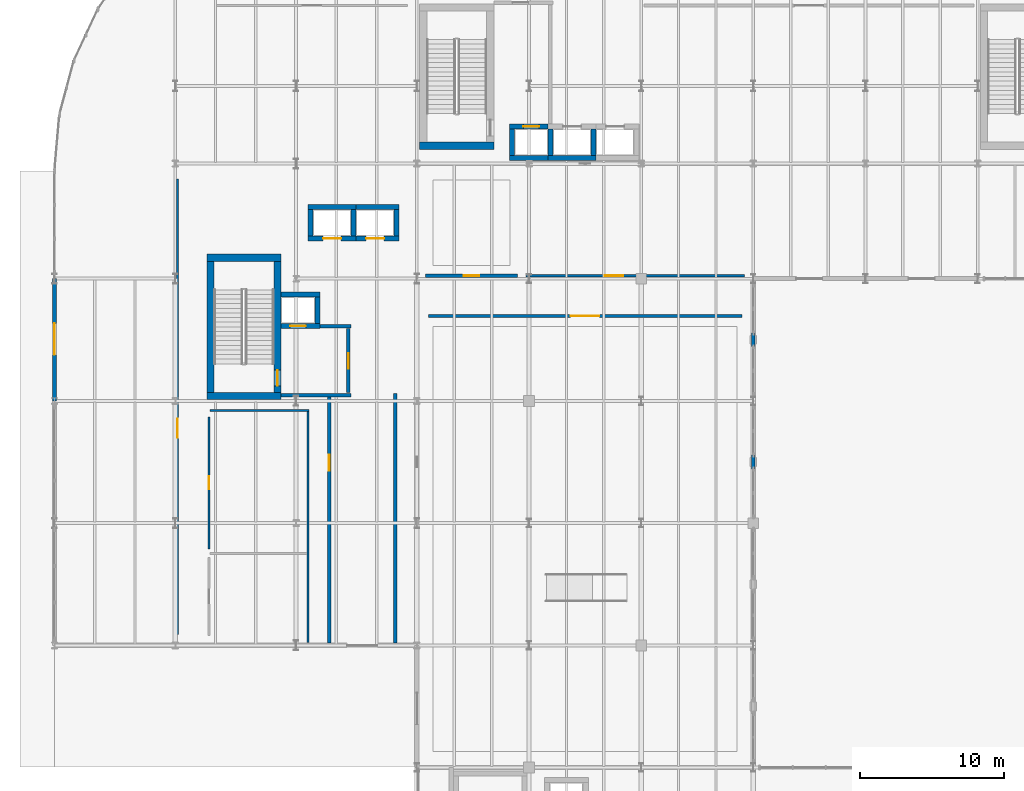
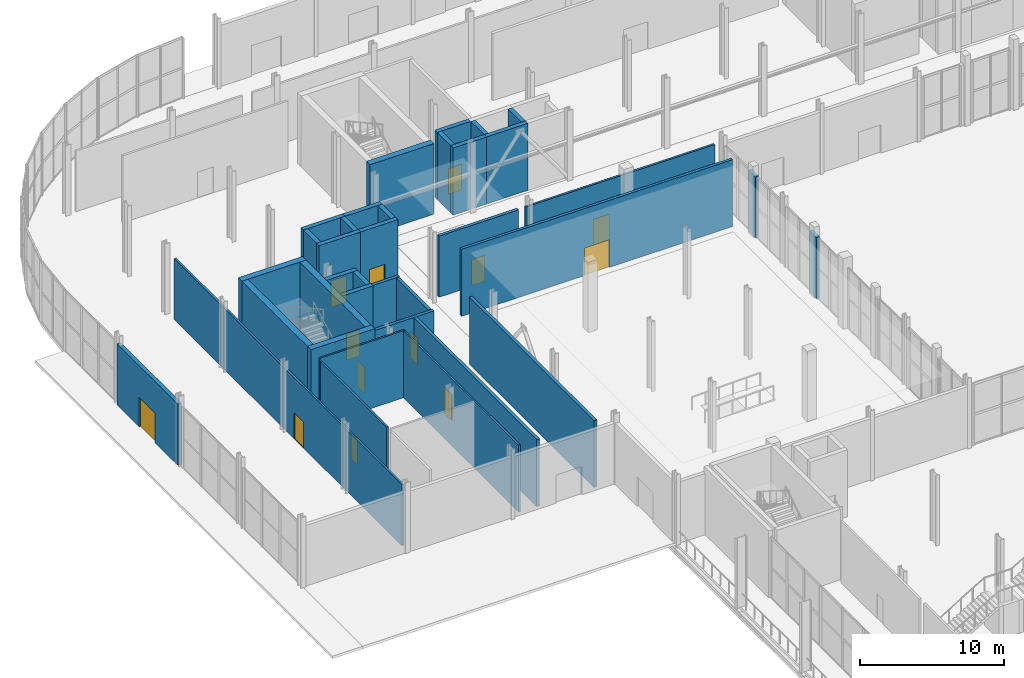
# One storey, part 58 of 84: 36 walls, 13 doors, 13 openings.
"""IFC4 building model written with IfcOpenShell, lengths in metres."""

from ifc_helpers import new_model, si_unit, direction, frame, frame_2d, origin, place, context, subcontext, project, spatial, rectangle, extrude, material, layer, layer_set, type_object, element, fill, save


model = new_model("IFC4")

# Units and contexts
model_context = context("Model", 3, precision=1e-05, world=origin(), true_north=direction((0.0, 1.0)))
body_context = subcontext(model_context, "Body", "Model", "MODEL_VIEW")
ifc_project = project(units=[si_unit("LENGTHUNIT", "METRE"), si_unit("AREAUNIT", "SQUARE_METRE"), si_unit("VOLUMEUNIT", "CUBIC_METRE"), si_unit("PLANEANGLEUNIT", "RADIAN"), si_unit("MASSUNIT", "GRAM", prefix="KILO")], contexts=[model_context])

# Site, building, storey
site_placement = place(None, origin())
site = spatial("IfcSite", under=ifc_project, at=site_placement, CompositionType="ELEMENT")
building_placement = place(site_placement, origin())
building = spatial("IfcBuilding", under=site, at=building_placement, Name="Sefraquen Railside Congress Hotel", CompositionType="ELEMENT")
storey_placement = place(building_placement, origin())
storey = spatial("IfcBuildingStorey", under=building, at=storey_placement, Name="L00", CompositionType="ELEMENT", Elevation=0.0)

# Wall, opening, door
ifc_material_1 = material(Name="Acoustic double stud and gypsum board", Category="gypsum")
ifc_layer_1 = layer(ifc_material_1, 0.219970703125)
ifc_layer_set_1 = layer_set([ifc_layer_1], Name="Acoustic double stud and gypsum board")
wall_type_1 = type_object("IfcWallType", Name="TW-AW-220", PredefinedType="PARTITIONING", material=ifc_layer_set_1)
wall_1_placement = place(storey_placement, frame((26.0, 85.39990234375, 0.0), z_axis=(0.0, 0.0, 1.0), x_axis=(1.0, 0.0, 0.0)))
wall_1 = element("IfcWall", 1, at=wall_1_placement, inside=storey, type_object=wall_type_1, Name="Exhibition Gallery Hall enclosure wall", PredefinedType="PARTITIONING", context=body_context, shape_type="SweptSolid", body=[
    extrude(rectangle(XDim=21.800048828125, YDim=0.219970703125, at=frame_2d((10.89990234375, 0.0))), origin(), (0.0, 0.0, 1.0), 5.699951171875),
])
opening_1_placement = place(wall_1_placement, frame((9.89990234375, 0.0, 0.0)))
opening_1 = element("IfcOpeningElement", 2, at=opening_1_placement, cuts=wall_1, Name="Opening AD-02", PredefinedType="OPENING", context=body_context, shape_type="SweptSolid", body=[
    extrude(rectangle(XDim=2.0, YDim=2.35009765625, at=frame_2d((1.0, 1.175048828125))), frame((0.0, 0.119873046875, 0.0), z_axis=(0.0, -1.0, 0.0), x_axis=(1.0, 0.0, 0.0)), (0.0, 0.0, 1.0), 0.239990234375),
])
ifc_material_2 = material(Name="Acoustic Atlas cedar timber", Category="wood")
door_type_1 = type_object("IfcDoorType", Name="TD-AD-02", OperationType="NOTDEFINED", PredefinedType="DOOR", material=ifc_material_2)
door_1_placement = place(opening_1_placement, origin())
door_1 = element("IfcDoor", 3, at=door_1_placement, inside=storey, type_object=door_type_1, Name="Exhibition Gallery Hall entrance door", OperationType="DOUBLE_SWING_LEFT", OverallHeight=2.35009765625, OverallWidth=2.0, PredefinedType="DOOR", context=body_context, shape_type="SweptSolid", body=[
    extrude(rectangle(XDim=2.0, YDim=2.35009765625, at=frame_2d((1.0, 1.175048828125))), frame((0.0, 0.02490234375, 0.0), z_axis=(0.0, -1.0, 0.0), x_axis=(1.0, 0.0, 0.0)), (0.0, 0.0, 1.0), 0.050048828125),
])
fill(opening_1, door_1)

# Wall
ifc_material_3 = material(Name="Concrete C50/60", Category="concrete")
ifc_layer_2 = layer(ifc_material_3, 0.35009765625)
ifc_layer_set_2 = layer_set([ifc_layer_2], Name="Concrete C50/60")
wall_type_2 = type_object("IfcWallType", Name="TW-CW-350", PredefinedType="SHEAR", material=ifc_layer_set_2)
wall_2_placement = place(storey_placement, frame((15.760009765625, 86.89501953125, 0.0), z_axis=(0.0, 0.0, 1.0), x_axis=(1.0, 0.0, 0.0)))
element("IfcWall", 4, at=wall_2_placement, inside=storey, type_object=wall_type_2, Name="Lift FL-01 shaft wall N L00", PredefinedType="SHEAR", context=body_context, shape_type="SweptSolid", body=[
    extrude(rectangle(XDim=2.68994140625, YDim=0.35009765625, at=frame_2d((1.344970703125, 0.0))), origin(), (0.0, 0.0, 1.0), 5.699951171875),
])

# Wall, opening, door
wall_3_placement = place(storey_placement, frame((15.760009765625, 84.705078125, 0.0), z_axis=(0.0, 0.0, 1.0), x_axis=(1.0, 0.0, 0.0)))
wall_3 = element("IfcWall", 5, at=wall_3_placement, inside=storey, type_object=wall_type_2, Name="Lift FL-01 shaft wall S L00", PredefinedType="SHEAR", context=body_context, shape_type="SweptSolid", body=[
    extrude(rectangle(XDim=2.68994140625, YDim=0.35009765625, at=frame_2d((1.344970703125, 0.0))), origin(), (0.0, 0.0, 1.0), 5.699951171875),
])
opening_2_placement = place(wall_3_placement, frame((0.6201171875, 0.0, 0.0)))
opening_2 = element("IfcOpeningElement", 6, at=opening_2_placement, cuts=wall_3, Name="Opening LD-01", PredefinedType="OPENING", context=body_context, shape_type="SweptSolid", body=[
    extrude(rectangle(XDim=1.10009765625, YDim=2.199951171875, at=frame_2d((0.550048828125, 1.10009765625))), frame((0.0, 0.18505859375, 0.0), z_axis=(0.0, -1.0, 0.0), x_axis=(1.0, 0.0, 0.0)), (0.0, 0.0, 1.0), 0.3701171875),
])
ifc_material_4 = material(Name="Brushed bronze stainless steel", Category="steel")
door_type_2 = type_object("IfcDoorType", Name="TD-LD-01", OperationType="NOTDEFINED", PredefinedType="DOOR", material=ifc_material_4)
door_2_placement = place(opening_2_placement, origin())
door_2 = element("IfcDoor", 7, at=door_2_placement, inside=storey, type_object=door_type_2, Name="Lift landing door FL-01 L00", OperationType="SLIDING_TO_LEFT", OverallHeight=2.199951171875, OverallWidth=1.10009765625, PredefinedType="DOOR", context=body_context, shape_type="SweptSolid", body=[
    extrude(rectangle(XDim=1.10009765625, YDim=2.199951171875, at=frame_2d((0.550048828125, 1.10009765625))), frame((0.0, 0.02490234375, 0.0), z_axis=(0.0, -1.0, 0.0), x_axis=(1.0, 0.0, 0.0)), (0.0, 0.0, 1.0), 0.050048828125),
])
fill(opening_2, door_2)

# Wall
wall_4_placement = place(storey_placement, frame((18.27490234375, 84.8798828125, 0.0), z_axis=(0.0, 0.0, 1.0), x_axis=(0.0, 1.0, 0.0)))
element("IfcWall", 8, at=wall_4_placement, inside=storey, type_object=wall_type_2, Name="Lift FL-01 shaft wall E L00", PredefinedType="SHEAR", context=body_context, shape_type="SweptSolid", body=[
    extrude(rectangle(XDim=1.840087890625, YDim=0.35009765625, at=frame_2d((0.919921875, 0.0))), origin(), (0.0, 0.0, 1.0), 5.699951171875),
])

# Wall, opening, door
wall_5_placement = place(storey_placement, frame((31.639892578125, 98.594970703125, 0.0), z_axis=(0.0, 0.0, 1.0), x_axis=(1.0, 0.0, 0.0)))
wall_5 = element("IfcWall", 9, at=wall_5_placement, inside=storey, type_object=wall_type_2, Name="Lift FL-02 shaft wall N L00", PredefinedType="SHEAR", context=body_context, shape_type="SweptSolid", body=[
    extrude(rectangle(XDim=2.690185546875, YDim=0.35009765625, at=frame_2d((1.34521484375, 0.0))), origin(), (0.0, 0.0, 1.0), 5.699951171875),
])
opening_3_placement = place(wall_5_placement, frame((0.969970703125, 0.0, 0.0)))
opening_3 = element("IfcOpeningElement", 10, at=opening_3_placement, cuts=wall_5, Name="Opening LD-01", PredefinedType="OPENING", context=body_context, shape_type="SweptSolid", body=[
    extrude(rectangle(XDim=1.10009765625, YDim=2.199951171875, at=frame_2d((0.550048828125, 1.10009765625))), frame((0.0, 0.18505859375, 0.0), z_axis=(0.0, -1.0, 0.0), x_axis=(1.0, 0.0, 0.0)), (0.0, 0.0, 1.0), 0.3701171875),
])
door_3_placement = place(opening_3_placement, origin())
door_3 = element("IfcDoor", 11, at=door_3_placement, inside=storey, type_object=door_type_2, Name="Lift landing door FL-02 L00", OperationType="SLIDING_TO_LEFT", OverallHeight=2.199951171875, OverallWidth=1.10009765625, PredefinedType="DOOR", context=body_context, shape_type="SweptSolid", body=[
    extrude(rectangle(XDim=1.10009765625, YDim=2.199951171875, at=frame_2d((0.550048828125, 1.10009765625))), frame((0.0, 0.02490234375, 0.0), z_axis=(0.0, -1.0, 0.0), x_axis=(1.0, 0.0, 0.0)), (0.0, 0.0, 1.0), 0.050048828125),
])
fill(opening_3, door_3)

# Walls
wall_6_placement = place(storey_placement, frame((31.639892578125, 96.405029296875, 0.0), z_axis=(0.0, 0.0, 1.0), x_axis=(1.0, 0.0, 0.0)))
element("IfcWall", 12, at=wall_6_placement, inside=storey, type_object=wall_type_2, Name="Lift FL-02 shaft wall S L00", PredefinedType="SHEAR", context=body_context, shape_type="SweptSolid", body=[
    extrude(rectangle(XDim=2.690185546875, YDim=0.35009765625, at=frame_2d((1.34521484375, 0.0))), origin(), (0.0, 0.0, 1.0), 5.699951171875),
])
wall_7_placement = place(storey_placement, frame((31.81494140625, 96.580078125, 0.0), z_axis=(0.0, 0.0, 1.0), x_axis=(0.0, 1.0, 0.0)))
element("IfcWall", 13, at=wall_7_placement, inside=storey, type_object=wall_type_2, Name="Lift FL-02 shaft wall W L00", PredefinedType="SHEAR", context=body_context, shape_type="SweptSolid", body=[
    extrude(rectangle(XDim=1.83984375, YDim=0.35009765625, at=frame_2d((0.919921875, 0.0))), origin(), (0.0, 0.0, 1.0), 5.699951171875),
])
wall_8_placement = place(storey_placement, frame((17.6298828125, 92.9951171875, 0.0), z_axis=(0.0, 0.0, 1.0), x_axis=(1.0, 0.0, 0.0)))
element("IfcWall", 14, at=wall_8_placement, inside=storey, type_object=wall_type_2, Name="Lift PL-01 shaft wall N L00", PredefinedType="SHEAR", context=body_context, shape_type="SweptSolid", body=[
    extrude(rectangle(XDim=3.340087890625, YDim=0.35009765625, at=frame_2d((1.669921875, 0.0))), origin(), (0.0, 0.0, 1.0), 5.699951171875),
])

# Wall, opening, door
wall_9_placement = place(storey_placement, frame((17.6298828125, 90.804931640625, 0.0), z_axis=(0.0, 0.0, 1.0), x_axis=(1.0, 0.0, 0.0)))
wall_9 = element("IfcWall", 15, at=wall_9_placement, inside=storey, type_object=wall_type_2, Name="Lift PL-01 shaft wall S L00", PredefinedType="SHEAR", context=body_context, shape_type="SweptSolid", body=[
    extrude(rectangle(XDim=3.340087890625, YDim=0.35009765625, at=frame_2d((1.669921875, 0.0))), origin(), (0.0, 0.0, 1.0), 5.699951171875),
])
opening_4_placement = place(wall_9_placement, frame((1.044921875, 0.0, 0.0)))
opening_4 = element("IfcOpeningElement", 16, at=opening_4_placement, cuts=wall_9, Name="Opening LD-02", PredefinedType="OPENING", context=body_context, shape_type="SweptSolid", body=[
    extrude(rectangle(XDim=1.25, YDim=2.25, at=frame_2d((0.625, 1.125))), frame((0.0, 0.18505859375, 0.0), z_axis=(0.0, -1.0, 0.0), x_axis=(1.0, 0.0, 0.0)), (0.0, 0.0, 1.0), 0.3701171875),
])
ifc_material_5 = material(Name="Brushed stainless steel", Category="steel")
door_type_3 = type_object("IfcDoorType", Name="TD-LD-02", OperationType="NOTDEFINED", PredefinedType="DOOR", material=ifc_material_5)
door_4_placement = place(opening_4_placement, origin())
door_4 = element("IfcDoor", 17, at=door_4_placement, inside=storey, type_object=door_type_3, Name="Lift landing door PL-01 L00", OperationType="SLIDING_TO_LEFT", OverallHeight=2.25, OverallWidth=1.25, PredefinedType="DOOR", context=body_context, shape_type="SweptSolid", body=[
    extrude(rectangle(XDim=1.25, YDim=2.25, at=frame_2d((0.625, 1.125))), frame((0.0, 0.02490234375, 0.0), z_axis=(0.0, -1.0, 0.0), x_axis=(1.0, 0.0, 0.0)), (0.0, 0.0, 1.0), 0.050048828125),
])
fill(opening_4, door_4)

# Walls
for number, where, z_axis, x_axis, name in (
    (18, (17.804931640625, 90.97998046875, 0.0), (0.0, 0.0, 1.0), (0.0, 1.0, 0.0), "Lift PL-01 shaft wall W L00"),
    (19, (20.794921875, 90.97998046875, 0.0), (0.0, 0.0, 1.0), (0.0, 1.0, 0.0), "Lift PL-01 shaft wall E L00"),
):
    element("IfcWall", number, at=place(storey_placement, frame(where, z_axis=z_axis, x_axis=x_axis)), inside=storey, type_object=wall_type_2, Name=name, PredefinedType="SHEAR", context=body_context, shape_type="SweptSolid", body=[
        extrude(rectangle(XDim=1.840087890625, YDim=0.35009765625, at=frame_2d((0.919921875, 0.0))), origin(), (0.0, 0.0, 1.0), 5.699951171875),
    ])
wall_10_placement = place(storey_placement, frame((20.969970703125, 92.9951171875, 0.0), z_axis=(0.0, 0.0, 1.0), x_axis=(1.0, 0.0, 0.0)))
element("IfcWall", 20, at=wall_10_placement, inside=storey, type_object=wall_type_2, Name="Lift PL-02 shaft wall N L00", PredefinedType="SHEAR", context=body_context, shape_type="SweptSolid", body=[
    extrude(rectangle(XDim=2.989990234375, YDim=0.35009765625, at=frame_2d((1.4951171875, 0.0))), origin(), (0.0, 0.0, 1.0), 5.699951171875),
])

# Wall, opening, door
wall_11_placement = place(storey_placement, frame((20.969970703125, 90.804931640625, 0.0), z_axis=(0.0, 0.0, 1.0), x_axis=(1.0, 0.0, 0.0)))
wall_11 = element("IfcWall", 21, at=wall_11_placement, inside=storey, type_object=wall_type_2, Name="Lift PL-02 shaft wall S L00", PredefinedType="SHEAR", context=body_context, shape_type="SweptSolid", body=[
    extrude(rectangle(XDim=2.989990234375, YDim=0.35009765625, at=frame_2d((1.4951171875, 0.0))), origin(), (0.0, 0.0, 1.0), 5.699951171875),
])
opening_5_placement = place(wall_11_placement, frame((0.695068359375, 0.0, 0.0)))
opening_5 = element("IfcOpeningElement", 22, at=opening_5_placement, cuts=wall_11, Name="Opening LD-02", PredefinedType="OPENING", context=body_context, shape_type="SweptSolid", body=[
    extrude(rectangle(XDim=1.25, YDim=2.25, at=frame_2d((0.625, 1.125))), frame((0.0, 0.18505859375, 0.0), z_axis=(0.0, -1.0, 0.0), x_axis=(1.0, 0.0, 0.0)), (0.0, 0.0, 1.0), 0.3701171875),
])
door_5_placement = place(opening_5_placement, origin())
door_5 = element("IfcDoor", 23, at=door_5_placement, inside=storey, type_object=door_type_3, Name="Lift landing door PL-02 L00", OperationType="SLIDING_TO_LEFT", OverallHeight=2.25, OverallWidth=1.25, PredefinedType="DOOR", context=body_context, shape_type="SweptSolid", body=[
    extrude(rectangle(XDim=1.25, YDim=2.25, at=frame_2d((0.625, 1.125))), frame((0.0, 0.02490234375, 0.0), z_axis=(0.0, -1.0, 0.0), x_axis=(1.0, 0.0, 0.0)), (0.0, 0.0, 1.0), 0.050048828125),
])
fill(opening_5, door_5)

# Walls
wall_12_placement = place(storey_placement, frame((23.784912109375, 90.97998046875, 0.0), z_axis=(0.0, 0.0, 1.0), x_axis=(0.0, 1.0, 0.0)))
element("IfcWall", 24, at=wall_12_placement, inside=storey, type_object=wall_type_2, Name="Lift PL-02 shaft wall E L00", PredefinedType="SHEAR", context=body_context, shape_type="SweptSolid", body=[
    extrude(rectangle(XDim=1.840087890625, YDim=0.35009765625, at=frame_2d((0.919921875, 0.0))), origin(), (0.0, 0.0, 1.0), 5.699951171875),
])
wall_13_placement = place(storey_placement, frame((34.330078125, 96.405029296875, 0.0), z_axis=(0.0, 0.0, 1.0), x_axis=(1.0, 0.0, 0.0)))
element("IfcWall", 25, at=wall_13_placement, inside=storey, type_object=wall_type_2, Name="Lift PL-03 shaft wall S L00", PredefinedType="SHEAR", context=body_context, shape_type="SweptSolid", body=[
    extrude(rectangle(XDim=3.33984375, YDim=0.35009765625, at=frame_2d((1.669921875, 0.0))), origin(), (0.0, 0.0, 1.0), 5.699951171875),
])
for number, where, z_axis, x_axis, name in (
    (26, (34.5048828125, 96.580078125, 0.0), (0.0, 0.0, 1.0), (0.0, 1.0, 0.0), "Lift PL-03 shaft wall W L00"),
    (27, (37.4951171875, 96.580078125, 0.0), (0.0, 0.0, 1.0), (0.0, 1.0, 0.0), "Lift PL-03 shaft wall E L00"),
):
    element("IfcWall", number, at=place(storey_placement, frame(where, z_axis=z_axis, x_axis=x_axis)), inside=storey, type_object=wall_type_2, Name=name, PredefinedType="SHEAR", context=body_context, shape_type="SweptSolid", body=[
        extrude(rectangle(XDim=1.83984375, YDim=0.35009765625, at=frame_2d((0.919921875, 0.0))), origin(), (0.0, 0.0, 1.0), 5.699951171875),
    ])
ifc_layer_3 = layer(ifc_material_3, 0.5)
ifc_layer_set_3 = layer_set([ifc_layer_3], Name="Concrete C50/60")
wall_type_3 = type_object("IfcWallType", Name="TW-CW-500", PredefinedType="SHEAR", material=ifc_layer_set_3)
for number, where, z_axis, x_axis, name in (
    (28, (10.60009765625, 89.4619140625, 0.0), (0.0, 0.0, 1.0), (1.0, 0.0, 0.0), "Core shear wall ST-H01 N L00"),
    (29, (10.60009765625, 79.85009765625, 0.0), (0.0, 0.0, 1.0), (1.0, 0.0, 0.0), "Core shear wall ST-H01 S L00"),
):
    element("IfcWall", number, at=place(storey_placement, frame(where, z_axis=z_axis, x_axis=x_axis)), inside=storey, type_object=wall_type_3, Name=name, PredefinedType="SHEAR", context=body_context, shape_type="SweptSolid", body=[
        extrude(rectangle(XDim=5.159912109375, YDim=0.5, at=frame_2d((2.580078125, 0.0))), origin(), (0.0, 0.0, 1.0), 6.0),
    ])
wall_14_placement = place(storey_placement, frame((10.85009765625, 80.10009765625, 0.0), z_axis=(0.0, 0.0, 1.0), x_axis=(0.0, 1.0, 0.0)))
element("IfcWall", 30, at=wall_14_placement, inside=storey, type_object=wall_type_3, Name="Core shear wall ST-H01 W L00", PredefinedType="SHEAR", context=body_context, shape_type="SweptSolid", body=[
    extrude(rectangle(XDim=9.11181640625, YDim=0.5, at=frame_2d((4.555908203125, 0.0))), origin(), (0.0, 0.0, 1.0), 6.0),
])

# Wall, opening, door
wall_15_placement = place(storey_placement, frame((15.510009765625, 80.10009765625, 0.0), z_axis=(0.0, 0.0, 1.0), x_axis=(0.0, 1.0, 0.0)))
wall_15 = element("IfcWall", 31, at=wall_15_placement, inside=storey, type_object=wall_type_3, Name="Core shear wall ST-H01 E L00", PredefinedType="SHEAR", context=body_context, shape_type="SweptSolid", body=[
    extrude(rectangle(XDim=9.11181640625, YDim=0.5, at=frame_2d((4.555908203125, 0.0))), origin(), (0.0, 0.0, 1.0), 6.0),
])
opening_6_placement = place(wall_15_placement, frame((0.43994140625, 0.0, 0.0)))
opening_6 = element("IfcOpeningElement", 32, at=opening_6_placement, cuts=wall_15, Name="Opening FD-04", PredefinedType="OPENING", context=body_context, shape_type="SweptSolid", body=[
    extrude(rectangle(XDim=1.10009765625, YDim=2.199951171875, at=frame_2d((0.550048828125, 1.10009765625))), frame((0.0, 0.260009765625, 0.0), z_axis=(0.0, -1.0, 0.0), x_axis=(1.0, 0.0, 0.0)), (0.0, 0.0, 1.0), 0.52001953125),
])
ifc_material_6 = material(Name="Fire-rated steel", Category="steel")
door_type_4 = type_object("IfcDoorType", Name="TD-FD-04", OperationType="NOTDEFINED", PredefinedType="DOOR", material=ifc_material_6)
door_6_placement = place(opening_6_placement, origin())
door_6 = element("IfcDoor", 33, at=door_6_placement, inside=storey, type_object=door_type_4, Name="Pressurized stair ST-H01 fire door L00", OperationType="SINGLE_SWING_RIGHT", OverallHeight=2.199951171875, OverallWidth=1.10009765625, PredefinedType="DOOR", context=body_context, shape_type="SweptSolid", body=[
    extrude(rectangle(XDim=1.10009765625, YDim=2.199951171875, at=frame_2d((0.550048828125, 1.10009765625))), frame((0.0, 0.02490234375, 0.0), z_axis=(0.0, -1.0, 0.0), x_axis=(1.0, 0.0, 0.0)), (0.0, 0.0, 1.0), 0.050048828125),
])
fill(opening_6, door_6)

# Walls
wall_16_placement = place(storey_placement, frame((25.39990234375, 97.25, 0.0), z_axis=(0.0, 0.0, 1.0), x_axis=(1.0, 0.0, 0.0)))
element("IfcWall", 34, at=wall_16_placement, inside=storey, type_object=wall_type_3, Name="Core shear wall ST-H02 S L00", PredefinedType="SHEAR", context=body_context, shape_type="SweptSolid", body=[
    extrude(rectangle(XDim=5.16015625, YDim=0.5, at=frame_2d((2.580078125, 0.0))), origin(), (0.0, 0.0, 1.0), 6.0),
])
ifc_material_7 = material(Name="Ochre Rabat calcarenite limestone and Concrete C40/50 backing", Category="masonry")
ifc_layer_4 = layer(ifc_material_7, 0.280029296875)
ifc_layer_set_4 = layer_set([ifc_layer_4], Name="Ochre Rabat calcarenite limestone and Concrete C40/50 backing")
wall_type_4 = type_object("IfcWallType", Name="TW-EW-280", PredefinedType="STANDARD", material=ifc_layer_set_4)
for number, where, z_axis, x_axis, name in (
    (35, (48.60009765625, 74.77001953125, 0.0), (0.0, 0.0, 1.0), (0.0, 1.0, 0.0), "Courtyard west arcade curtain wall UCW-19 column pier closure 1"),
    (36, (48.60009765625, 83.27001953125, 0.0), (0.0, 0.0, 1.0), (0.0, 1.0, 0.0), "Courtyard west arcade curtain wall UCW-21 column pier closure 1"),
):
    element("IfcWall", number, at=place(storey_placement, frame(where, z_axis=z_axis, x_axis=x_axis)), inside=storey, type_object=wall_type_4, Name=name, PredefinedType="STANDARD", context=body_context, shape_type="SweptSolid", body=[
        extrude(rectangle(XDim=0.9599609375, YDim=0.260009765625, at=frame_2d((0.47998046875, 0.0))), origin(), (0.0, 0.0, 1.0), 5.199951171875),
    ])

# Wall, opening, door
ifc_layer_5 = layer(ifc_material_7, 0.300048828125)
ifc_layer_set_5 = layer_set([ifc_layer_5], Name="Ochre Rabat calcarenite limestone and Concrete C40/50 backing")
wall_type_5 = type_object("IfcWallType", Name="TW-EW-300", PredefinedType="STANDARD", material=ifc_layer_set_5)
wall_17_placement = place(storey_placement, frame((0.0, 79.5, 0.0), z_axis=(0.0, 0.0, 1.0), x_axis=(0.0, 1.0, 0.0)))
wall_17 = element("IfcWall", 37, at=wall_17_placement, inside=storey, type_object=wall_type_5, Name="Hotel L00 West Forecourt facade wall", PredefinedType="STANDARD", context=body_context, shape_type="SweptSolid", body=[
    extrude(rectangle(XDim=8.5, YDim=0.300048828125, at=frame_2d((4.25, 0.0))), origin(), (0.0, 0.0, 1.0), 5.199951171875),
])
opening_7_placement = place(wall_17_placement, frame((3.199951171875, 0.0, 0.0)))
opening_7 = element("IfcOpeningElement", 38, at=opening_7_placement, cuts=wall_17, Name="Opening ED-03", PredefinedType="OPENING", context=body_context, shape_type="SweptSolid", body=[
    extrude(rectangle(XDim=2.199951171875, YDim=2.5, at=frame_2d((1.10009765625, 1.25))), frame((0.0, 0.159912109375, 0.0), z_axis=(0.0, -1.0, 0.0), x_axis=(1.0, 0.0, 0.0)), (0.0, 0.0, 1.0), 0.320068359375),
])
ifc_material_8 = material(Name="Bronze and fire-rated laminated glass", Category="glass")
door_type_5 = type_object("IfcDoorType", Name="TD-ED-03", OperationType="NOTDEFINED", PredefinedType="DOOR", material=ifc_material_8)
door_7_placement = place(opening_7_placement, origin())
door_7 = element("IfcDoor", 39, at=door_7_placement, inside=storey, type_object=door_type_5, Name="Hotel West Forecourt exit door", OperationType="DOUBLE_SWING_LEFT", OverallHeight=2.5, OverallWidth=2.199951171875, PredefinedType="DOOR", context=body_context, shape_type="SweptSolid", body=[
    extrude(rectangle(XDim=2.199951171875, YDim=2.5, at=frame_2d((1.10009765625, 1.25))), frame((0.0, 0.02490234375, 0.0), z_axis=(0.0, -1.0, 0.0), x_axis=(1.0, 0.0, 0.0)), (0.0, 0.0, 1.0), 0.050048828125),
])
fill(opening_7, door_7)

# Walls
ifc_material_9 = material(Name="Concrete C40/50", Category="concrete")
ifc_layer_6 = layer(ifc_material_9, 0.239990234375)
ifc_layer_set_6 = layer_set([ifc_layer_6], Name="Concrete C40/50")
wall_type_6 = type_object("IfcWallType", Name="TW-FW-240", PredefinedType="STANDARD", material=ifc_layer_set_6)
wall_18_placement = place(storey_placement, frame((15.760009765625, 79.89990234375, 0.0), z_axis=(0.0, 0.0, 1.0), x_axis=(1.0, 0.0, 0.0)))
element("IfcWall", 40, at=wall_18_placement, inside=storey, type_object=wall_type_6, Name="Firefighting Lift Lobby FFL-01 S fire wall L00", PredefinedType="STANDARD", context=body_context, shape_type="SweptSolid", body=[
    extrude(rectangle(XDim=4.860107421875, YDim=0.239990234375, at=frame_2d((2.43017578125, 0.0))), origin(), (0.0, 0.0, 1.0), 5.699951171875),
])
wall_19_placement = place(storey_placement, frame((18.449951171875, 84.705078125, 0.0), z_axis=(0.0, 0.0, 1.0), x_axis=(1.0, 0.0, 0.0)))
element("IfcWall", 41, at=wall_19_placement, inside=storey, type_object=wall_type_6, Name="Firefighting Lift Lobby FFL-01 N fire wall L00", PredefinedType="STANDARD", context=body_context, shape_type="SweptSolid", body=[
    extrude(rectangle(XDim=2.170166015625, YDim=0.239990234375, at=frame_2d((1.0849609375, 0.0))), origin(), (0.0, 0.0, 1.0), 5.699951171875),
])

# Wall, opening, door
wall_20_placement = place(storey_placement, frame((20.43994140625, 80.080078125, 0.0), z_axis=(0.0, 0.0, 1.0), x_axis=(0.0, 1.0, 0.0)))
wall_20 = element("IfcWall", 42, at=wall_20_placement, inside=storey, type_object=wall_type_6, Name="Firefighting Lift Lobby FFL-01 EI 120 separation wall L00", PredefinedType="STANDARD", context=body_context, shape_type="SweptSolid", body=[
    extrude(rectangle(XDim=4.449951171875, YDim=0.239990234375, at=frame_2d((2.22509765625, 0.0))), origin(), (0.0, 0.0, 1.0), 5.699951171875),
])
opening_8_placement = place(wall_20_placement, frame((1.64990234375, 0.0, 0.0)))
opening_8 = element("IfcOpeningElement", 43, at=opening_8_placement, cuts=wall_20, Name="Opening FD-04", PredefinedType="OPENING", context=body_context, shape_type="SweptSolid", body=[
    extrude(rectangle(XDim=1.10009765625, YDim=2.199951171875, at=frame_2d((0.550048828125, 1.10009765625))), frame((0.0, 0.1298828125, 0.0), z_axis=(0.0, -1.0, 0.0), x_axis=(1.0, 0.0, 0.0)), (0.0, 0.0, 1.0), 0.260009765625),
])
door_8_placement = place(opening_8_placement, origin())
door_8 = element("IfcDoor", 44, at=door_8_placement, inside=storey, type_object=door_type_4, Name="Firefighting Lift Lobby FFL-01 self-closing fire door L00", OperationType="SINGLE_SWING_RIGHT", OverallHeight=2.199951171875, OverallWidth=1.10009765625, PredefinedType="DOOR", context=body_context, shape_type="SweptSolid", body=[
    extrude(rectangle(XDim=1.10009765625, YDim=2.199951171875, at=frame_2d((0.550048828125, 1.10009765625))), frame((0.0, 0.02490234375, 0.0), z_axis=(0.0, -1.0, 0.0), x_axis=(1.0, 0.0, 0.0)), (0.0, 0.0, 1.0), 0.050048828125),
])
fill(opening_8, door_8)

wall_21_placement = place(storey_placement, frame((25.800048828125, 88.199951171875, 0.0), z_axis=(0.0, 0.0, 1.0), x_axis=(1.0, 0.0, 0.0)))
wall_21 = element("IfcWall", 45, at=wall_21_placement, inside=storey, type_object=wall_type_6, Name="Fire Command Centre enclosure wall", PredefinedType="STANDARD", context=body_context, shape_type="SweptSolid", body=[
    extrude(rectangle(XDim=6.39990234375, YDim=0.239990234375, at=frame_2d((3.199951171875, 0.0))), origin(), (0.0, 0.0, 1.0), 5.18994140625),
])
opening_9_placement = place(wall_21_placement, frame((2.64990234375, 0.0, 0.0)))
opening_9 = element("IfcOpeningElement", 46, at=opening_9_placement, cuts=wall_21, Name="Opening FD-04", PredefinedType="OPENING", context=body_context, shape_type="SweptSolid", body=[
    extrude(rectangle(XDim=1.10009765625, YDim=2.199951171875, at=frame_2d((0.550048828125, 1.10009765625))), frame((0.0, 0.1298828125, 0.0), z_axis=(0.0, -1.0, 0.0), x_axis=(1.0, 0.0, 0.0)), (0.0, 0.0, 1.0), 0.260009765625),
])
door_9_placement = place(opening_9_placement, origin())
door_9 = element("IfcDoor", 47, at=door_9_placement, inside=storey, type_object=door_type_4, Name="Fire Command Centre entrance door", OperationType="SINGLE_SWING_LEFT", OverallHeight=2.199951171875, OverallWidth=1.10009765625, PredefinedType="DOOR", context=body_context, shape_type="SweptSolid", body=[
    extrude(rectangle(XDim=1.10009765625, YDim=2.199951171875, at=frame_2d((0.550048828125, 1.10009765625))), frame((0.0, 0.02490234375, 0.0), z_axis=(0.0, -1.0, 0.0), x_axis=(1.0, 0.0, 0.0)), (0.0, 0.0, 1.0), 0.050048828125),
])
fill(opening_9, door_9)

wall_22_placement = place(storey_placement, frame((19.10009765625, 62.659912109375, 0.0), z_axis=(0.0, 0.0, 1.0), x_axis=(0.0, 1.0, 0.0)))
wall_22 = element("IfcWall", 48, at=wall_22_placement, inside=storey, type_object=wall_type_6, Name="Hotel west stair discharge EI 120 west fire wall", PredefinedType="STANDARD", context=body_context, shape_type="SweptSolid", body=[
    extrude(rectangle(XDim=17.219970703125, YDim=0.239990234375, at=frame_2d((8.60986328125, 0.0))), origin(), (0.0, 0.0, 1.0), 5.699951171875),
])
opening_10_placement = place(wall_22_placement, frame((12.0, 0.0, 0.0)))
opening_10 = element("IfcOpeningElement", 49, at=opening_10_placement, cuts=wall_22, Name="Opening FD-04", PredefinedType="OPENING", context=body_context, shape_type="SweptSolid", body=[
    extrude(rectangle(XDim=1.10009765625, YDim=2.199951171875, at=frame_2d((0.550048828125, 1.10009765625))), frame((0.0, 0.1298828125, 0.0), z_axis=(0.0, -1.0, 0.0), x_axis=(1.0, 0.0, 0.0)), (0.0, 0.0, 1.0), 0.260009765625),
])
door_10_placement = place(opening_10_placement, origin())
door_10 = element("IfcDoor", 50, at=door_10_placement, inside=storey, type_object=door_type_4, Name="Hotel west stair discharge EI 120 west fire wall self-closing fire door", OperationType="SINGLE_SWING_LEFT", OverallHeight=2.199951171875, OverallWidth=1.10009765625, PredefinedType="DOOR", context=body_context, shape_type="SweptSolid", body=[
    extrude(rectangle(XDim=1.10009765625, YDim=2.199951171875, at=frame_2d((0.550048828125, 1.10009765625))), frame((0.0, 0.02490234375, 0.0), z_axis=(0.0, -1.0, 0.0), x_axis=(1.0, 0.0, 0.0)), (0.0, 0.0, 1.0), 0.050048828125),
])
fill(opening_10, door_10)

# Walls
wall_23_placement = place(storey_placement, frame((23.699951171875, 62.659912109375, 0.0), z_axis=(0.0, 0.0, 1.0), x_axis=(0.0, 1.0, 0.0)))
element("IfcWall", 51, at=wall_23_placement, inside=storey, type_object=wall_type_6, Name="Hotel west stair discharge EI 120 east fire wall", PredefinedType="STANDARD", context=body_context, shape_type="SweptSolid", body=[
    extrude(rectangle(XDim=17.360107421875, YDim=0.239990234375, at=frame_2d((8.68017578125, 0.0))), origin(), (0.0, 0.0, 1.0), 5.699951171875),
])
ifc_material_10 = material(Name="Moisture-resistant gypsum board", Category="gypsum")
ifc_layer_7 = layer(ifc_material_10, 0.139892578125)
ifc_layer_set_7 = layer_set([ifc_layer_7], Name="Moisture-resistant gypsum board")
wall_type_7 = type_object("IfcWallType", Name="TW-PW-140", PredefinedType="PARTITIONING", material=ifc_layer_set_7)
wall_24_placement = place(storey_placement, frame((17.6201171875, 62.699951171875, 0.0), z_axis=(0.0, 0.0, 1.0), x_axis=(0.0, 1.0, 0.0)))
element("IfcWall", 52, at=wall_24_placement, inside=storey, type_object=wall_type_7, Name="Hotel L00 sanitary block east enclosure partition", PredefinedType="PARTITIONING", context=body_context, shape_type="SweptSolid", body=[
    extrude(rectangle(XDim=16.050048828125, YDim=0.139892578125, at=frame_2d((8.02490234375, 0.0))), origin(), (0.0, 0.0, 1.0), 5.699951171875),
])
wall_25_placement = place(storey_placement, frame((10.830078125, 78.820068359375, 0.0), z_axis=(0.0, 0.0, 1.0), x_axis=(1.0, 0.0, 0.0)))
element("IfcWall", 53, at=wall_25_placement, inside=storey, type_object=wall_type_7, Name="Hotel L00 staff WC north enclosure partition", PredefinedType="PARTITIONING", context=body_context, shape_type="SweptSolid", body=[
    extrude(rectangle(XDim=6.85986328125, YDim=0.139892578125, at=frame_2d((3.429931640625, 0.0))), origin(), (0.0, 0.0, 1.0), 5.699951171875),
])

# Wall, opening, door
ifc_layer_8 = layer(ifc_material_10, 0.159912109375)
ifc_layer_set_8 = layer_set([ifc_layer_8], Name="Moisture-resistant gypsum board")
wall_type_8 = type_object("IfcWallType", Name="TW-PW-160", PredefinedType="PARTITIONING", material=ifc_layer_set_8)
wall_26_placement = place(storey_placement, frame((32.800048828125, 88.199951171875, 0.0), z_axis=(0.0, 0.0, 1.0), x_axis=(1.0, 0.0, 0.0)))
wall_26 = element("IfcWall", 54, at=wall_26_placement, inside=storey, type_object=wall_type_8, Name="Congress Secretariat Room enclosure wall", PredefinedType="PARTITIONING", context=body_context, shape_type="SweptSolid", body=[
    extrude(rectangle(XDim=15.199951171875, YDim=0.159912109375, at=frame_2d((7.60009765625, 0.0))), origin(), (0.0, 0.0, 1.0), 5.18994140625),
])
opening_11_placement = place(wall_26_placement, frame((5.449951171875, 0.0, 0.0)))
opening_11 = element("IfcOpeningElement", 55, at=opening_11_placement, cuts=wall_26, Name="Opening MD-02", PredefinedType="OPENING", context=body_context, shape_type="SweptSolid", body=[
    extrude(rectangle(XDim=1.300048828125, YDim=2.199951171875, at=frame_2d((0.64990234375, 1.10009765625))), frame((0.0, 0.08984375, 0.0), z_axis=(0.0, -1.0, 0.0), x_axis=(1.0, 0.0, 0.0)), (0.0, 0.0, 1.0), 0.179931640625),
])
ifc_material_11 = material(Name="Acoustic cedar veneer", Category="wood")
door_type_6 = type_object("IfcDoorType", Name="TD-MD-02", OperationType="NOTDEFINED", PredefinedType="DOOR", material=ifc_material_11)
door_11_placement = place(opening_11_placement, origin())
door_11 = element("IfcDoor", 56, at=door_11_placement, inside=storey, type_object=door_type_6, Name="Congress Secretariat Room entrance door", OperationType="SINGLE_SWING_RIGHT", OverallHeight=2.199951171875, OverallWidth=1.300048828125, PredefinedType="DOOR", context=body_context, shape_type="SweptSolid", body=[
    extrude(rectangle(XDim=1.300048828125, YDim=2.199951171875, at=frame_2d((0.64990234375, 1.10009765625))), frame((0.0, 0.02490234375, 0.0), z_axis=(0.0, -1.0, 0.0), x_axis=(1.0, 0.0, 0.0)), (0.0, 0.0, 1.0), 0.050048828125),
])
fill(opening_11, door_11)

wall_27_placement = place(storey_placement, frame((8.550048828125, 63.25, 0.0), z_axis=(0.0, 0.0, 1.0), x_axis=(0.0, 1.0, 0.0)))
wall_27 = element("IfcWall", 57, at=wall_27_placement, inside=storey, type_object=wall_type_8, Name="Moroccan Patisserie and Boutique Salon enclosure wall", PredefinedType="PARTITIONING", context=body_context, shape_type="SweptSolid", body=[
    extrude(rectangle(XDim=31.699951171875, YDim=0.159912109375, at=frame_2d((15.85009765625, 0.0))), origin(), (0.0, 0.0, 1.0), 5.199951171875),
])
opening_12_placement = place(wall_27_placement, frame((13.699951171875, 0.0, 0.0)))
opening_12 = element("IfcOpeningElement", 58, at=opening_12_placement, cuts=wall_27, Name="Opening MD-02", PredefinedType="OPENING", context=body_context, shape_type="SweptSolid", body=[
    extrude(rectangle(XDim=1.300048828125, YDim=2.199951171875, at=frame_2d((0.64990234375, 1.10009765625))), frame((0.0, 0.08984375, 0.0), z_axis=(0.0, -1.0, 0.0), x_axis=(1.0, 0.0, 0.0)), (0.0, 0.0, 1.0), 0.179931640625),
])
door_12_placement = place(opening_12_placement, origin())
door_12 = element("IfcDoor", 59, at=door_12_placement, inside=storey, type_object=door_type_6, Name="Moroccan Patisserie and Boutique Salon entrance door", OperationType="SINGLE_SWING_RIGHT", OverallHeight=2.199951171875, OverallWidth=1.300048828125, PredefinedType="DOOR", context=body_context, shape_type="SweptSolid", body=[
    extrude(rectangle(XDim=1.300048828125, YDim=2.199951171875, at=frame_2d((0.64990234375, 1.10009765625))), frame((0.0, 0.02490234375, 0.0), z_axis=(0.0, -1.0, 0.0), x_axis=(1.0, 0.0, 0.0)), (0.0, 0.0, 1.0), 0.050048828125),
])
fill(opening_12, door_12)

wall_28_placement = place(storey_placement, frame((10.75, 69.199951171875, 0.0), z_axis=(0.0, 0.0, 1.0), x_axis=(0.0, 1.0, 0.0)))
wall_28 = element("IfcWall", 60, at=wall_28_placement, inside=storey, type_object=wall_type_8, Name="Hotel Ground Staff WC enclosure wall", PredefinedType="PARTITIONING", context=body_context, shape_type="SweptSolid", body=[
    extrude(rectangle(XDim=9.199951171875, YDim=0.159912109375, at=frame_2d((4.60009765625, 0.0))), origin(), (0.0, 0.0, 1.0), 5.699951171875),
])
opening_13_placement = place(wall_28_placement, frame((4.14990234375, 0.0, 0.0)))
opening_13 = element("IfcOpeningElement", 61, at=opening_13_placement, cuts=wall_28, Name="Opening ID-02", PredefinedType="OPENING", context=body_context, shape_type="SweptSolid", body=[
    extrude(rectangle(XDim=0.89990234375, YDim=2.10009765625, at=frame_2d((0.449951171875, 1.050048828125))), frame((0.0, 0.08984375, 0.0), z_axis=(0.0, -1.0, 0.0), x_axis=(1.0, 0.0, 0.0)), (0.0, 0.0, 1.0), 0.179931640625),
])
ifc_material_12 = material(Name="Lacquered cedar joinery", Category="wood")
door_type_7 = type_object("IfcDoorType", Name="TD-ID-02", OperationType="NOTDEFINED", PredefinedType="DOOR", material=ifc_material_12)
door_13_placement = place(opening_13_placement, origin())
door_13 = element("IfcDoor", 62, at=door_13_placement, inside=storey, type_object=door_type_7, Name="Hotel Ground Staff WC entrance door", OperationType="SINGLE_SWING_RIGHT", OverallHeight=2.10009765625, OverallWidth=0.89990234375, PredefinedType="DOOR", context=body_context, shape_type="SweptSolid", body=[
    extrude(rectangle(XDim=0.89990234375, YDim=2.10009765625, at=frame_2d((0.449951171875, 1.050048828125))), frame((0.0, 0.02490234375, 0.0), z_axis=(0.0, -1.0, 0.0), x_axis=(1.0, 0.0, 0.0)), (0.0, 0.0, 1.0), 0.050048828125),
])
fill(opening_13, door_13)

save(model, "model.ifc")
